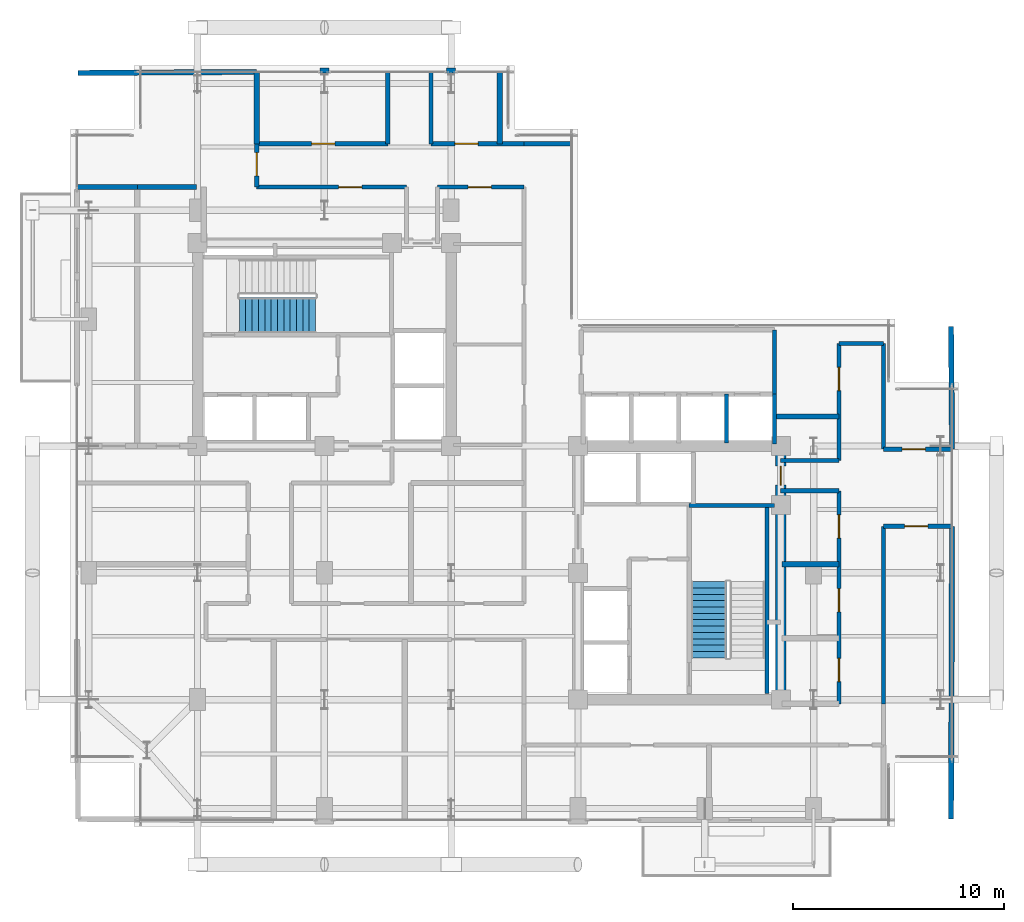
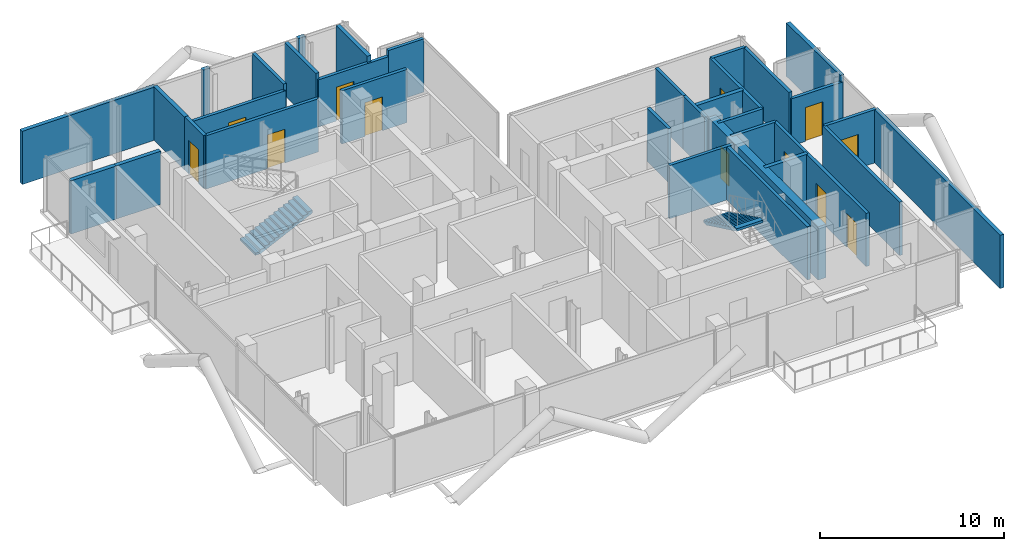
# One storey, part 22 of 26: 34 walls, 12 doors, 2 stair flights, 12 openings, 2 elements without a shape of their own.
"""IFC4 building model written with IfcOpenShell, lengths in metres."""

import ifcopenshell
import ifcopenshell.guid

model = None  # the IFC model being written
_history = None  # IfcOwnerHistory: only IFC2X3 demands one
_inside = {}  # id of a spatial element -> (the spatial element, [elements in it])
_under = {}  # id of a project, library or spatial element -> (it, [spatial elements below it])
_declared = {}  # id of a project -> (the project, [libraries it declares])
_typed = {}  # id of a type object -> (the type object, [elements of that type])
_made_of = {}  # id of a material, layer set ... -> (it, [elements and type objects made of it])


def new_model(schema):
    """Start an empty IFC model of exactly this schema.

    Asked for "IFC4X3", IfcOpenShell would pick the latest addendum, in which some entities
    have other attributes; the version numbers below select the first issue.
    IFC2X3 requires an IfcOwnerHistory on every rooted entity: one is made here for all.
    """
    global model, _history
    if schema == "IFC4X3":
        model = ifcopenshell.file(schema_version=(4, 3, 0, 0))
    else:
        model = ifcopenshell.file(schema=schema)
    _inside.clear()
    _under.clear()
    _declared.clear()
    _typed.clear()
    _made_of.clear()
    _history = None
    if model.schema == "IFC2X3":
        org = make("IfcOrganization", Name="unknown")
        user = make(
            "IfcPersonAndOrganization",
            ThePerson=make("IfcPerson", FamilyName="unknown"),
            TheOrganization=org,
        )
        app = make(
            "IfcApplication",
            ApplicationDeveloper=org,
            Version="unknown",
            ApplicationFullName="unknown",
            ApplicationIdentifier="unknown",
        )
        _history = make(
            "IfcOwnerHistory",
            OwningUser=user,
            OwningApplication=app,
            ChangeAction="ADDED",
            CreationDate=0,
        )
    return model


def make(cls, **values):
    """One entity of the class cls with the attributes given. An attribute that is None is left unset."""
    return model.create_entity(
        cls, **{name: value for name, value in values.items() if value is not None}
    )


def rooted(cls, **values):
    """An entity with a GlobalId (a new one), such as an element, a storey or a relation."""
    return make(cls, GlobalId=ifcopenshell.guid.new(), OwnerHistory=_history, **values)


def si_unit(unit_type, name, prefix=None):
    """IfcSIUnit, for example si_unit("LENGTHUNIT", "METRE", prefix="MILLI")."""
    return make("IfcSIUnit", UnitType=unit_type, Prefix=prefix, Name=name)


def assignment(units):
    """IfcUnitAssignment: the units of a project."""
    return None if units is None else make("IfcUnitAssignment", Units=units)


def point(xyz):
    """IfcCartesianPoint."""
    return None if xyz is None else make("IfcCartesianPoint", Coordinates=xyz)


def direction(xyz):
    """IfcDirection."""
    return None if xyz is None else make("IfcDirection", DirectionRatios=xyz)


def frame(location, z_axis=None, x_axis=None):
    """IfcAxis2Placement3D, a coordinate frame: its origin and axes. An axis left out is left unset."""
    return make(
        "IfcAxis2Placement3D",
        Location=point(location),
        Axis=direction(z_axis),
        RefDirection=direction(x_axis),
    )


def frame_2d(location, x_axis=None):
    """IfcAxis2Placement2D, a coordinate frame in the plane: its origin and x axis."""
    return make(
        "IfcAxis2Placement2D", Location=point(location), RefDirection=direction(x_axis)
    )


def origin():
    """The frame at (0, 0, 0) with its axes left unset."""
    return frame((0.0, 0.0, 0.0))


def place(relative_to, where):
    """IfcLocalPlacement: puts the frame where relative to a parent placement (None: the world)."""
    return make(
        "IfcLocalPlacement", PlacementRelTo=relative_to, RelativePlacement=where
    )


def context(
    kind, dimensions, precision=None, world=None, true_north=None, identifier=None
):
    """IfcGeometricRepresentationContext, for example the 3D "Model" context."""
    return make(
        "IfcGeometricRepresentationContext",
        ContextIdentifier=identifier,
        ContextType=kind,
        CoordinateSpaceDimension=dimensions,
        Precision=precision,
        WorldCoordinateSystem=world,
        TrueNorth=true_north,
    )


def subcontext(parent, identifier, kind, view, scale=None):
    """IfcGeometricRepresentationSubContext, for example "Body" below "Model"."""
    return make(
        "IfcGeometricRepresentationSubContext",
        ContextIdentifier=identifier,
        ContextType=kind,
        ParentContext=parent,
        TargetScale=scale,
        TargetView=view,
    )


def project(units=None, contexts=None):
    """IfcProject with its units and contexts."""
    return rooted(
        "IfcProject",
        Name="project",
        RepresentationContexts=contexts,
        UnitsInContext=assignment(units),
    )


def spatial(cls, under=None, at=None, **own):
    """A site, building, storey or space (cls), placed at a placement, below another one or the project."""
    s = rooted(cls, ObjectPlacement=at, **own)
    if under is not None:
        _under.setdefault(under.id(), (under, []))[1].append(s)
    return s


def polyline(points):
    """IfcPolyline through the points."""
    return make("IfcPolyline", Points=[point(p) for p in points])


def profile(cls, at=None, kind="AREA", **sizes):
    """A parametric profile (cls). Its sizes go by their IFC names, for example OverallWidth=200.0."""
    return make(cls, ProfileType=kind, Position=at, **sizes)


def rectangle(**sizes):
    """IfcRectangleProfileDef."""
    return profile("IfcRectangleProfileDef", **sizes)


def outline(outer, holes=None, kind="AREA"):
    """IfcArbitraryClosedProfileDef: a profile drawn as a closed curve; with holes, ...WithVoids."""
    if holes is None:
        return make("IfcArbitraryClosedProfileDef", ProfileType=kind, OuterCurve=outer)
    return make(
        "IfcArbitraryProfileDefWithVoids",
        ProfileType=kind,
        OuterCurve=outer,
        InnerCurves=holes,
    )


def extrude(swept, where, along, depth):
    """IfcExtrudedAreaSolid: the profile swept, set in the frame where, extruded along a direction by depth."""
    return make(
        "IfcExtrudedAreaSolid",
        SweptArea=swept,
        Position=where,
        ExtrudedDirection=direction(along),
        Depth=depth,
    )


def shape(context_of_items, identifier, shape_type, items):
    """IfcShapeRepresentation: the items that make up one representation, for example the "Body"."""
    return make(
        "IfcShapeRepresentation",
        ContextOfItems=context_of_items,
        RepresentationIdentifier=identifier,
        RepresentationType=shape_type,
        Items=items,
    )


def material(Name=None, Category=None):
    """IfcMaterial."""
    return make("IfcMaterial", Name=Name, Category=Category)


def layer(
    of_material, thickness, ventilated=None, Name=None, Category=None, Priority=None
):
    """IfcMaterialLayer: one layer of a wall or slab, of a material (None: an air gap)."""
    return make(
        "IfcMaterialLayer",
        Material=of_material,
        LayerThickness=thickness,
        IsVentilated=ventilated,
        Name=Name,
        Category=Category,
        Priority=Priority,
    )


def layer_set(layers, Name=None):
    """IfcMaterialLayerSet."""
    return make("IfcMaterialLayerSet", MaterialLayers=layers, LayerSetName=Name)


def made_of(thing, what):
    """Note that an element or type object is made of a material, layer set ...; save() writes the relation."""
    if what is not None:
        _made_of.setdefault(what.id(), (what, []))[1].append(thing)
    return thing


def type_object(cls, material=None, **own):
    """A type object (cls), such as IfcWallType, which elements share."""
    return made_of(rooted(cls, **own), material)


def element(
    cls,
    number,
    at=None,
    inside=None,
    cuts=None,
    type_object=None,
    material=None,
    context=None,
    identifier="Body",
    shape_type=None,
    held_by="IfcProductDefinitionShape",
    body=None,
    shapes=None,
    **own,
):
    """One element of the class cls, such as IfcWall. Its Tag is "e" and its number.

    at: its placement. inside: the storey or other place that contains it. cuts: it is an
    opening in that element (IfcRelVoidsElement). A single representation is given by context,
    identifier, shape_type and body (its items); several are given by shapes. held_by: the class
    of the entity that holds the representations. save() writes the other relations.
    """
    e = rooted(cls, Tag="e%d" % number, ObjectPlacement=at, **own)
    if body is not None:
        shapes = [shape(context, identifier, shape_type, body)]
    if shapes is not None:
        e.Representation = make(held_by, Representations=shapes)
    if inside is not None:
        _inside.setdefault(inside.id(), (inside, []))[1].append(e)
    if cuts is not None:
        rooted(
            "IfcRelVoidsElement", RelatingBuildingElement=cuts, RelatedOpeningElement=e
        )
    if type_object is not None:
        _typed.setdefault(type_object.id(), (type_object, []))[1].append(e)
    return made_of(e, material)


def fill(opening, filler):
    """IfcRelFillsElement: the door or window that sits in an opening."""
    return rooted(
        "IfcRelFillsElement",
        RelatingOpeningElement=opening,
        RelatedBuildingElement=filler,
    )


def aggregate(whole, parts):
    """IfcRelAggregates: a whole, such as a stair, and the parts it consists of."""
    return rooted("IfcRelAggregates", RelatingObject=whole, RelatedObjects=parts)


def save(model, path):
    """Write the relations noted so far, then the file.

    IfcRelAggregates (storeys below a building ...), IfcRelContainedInSpatialStructure (elements
    in a storey), IfcRelDefinesByType, IfcRelAssociatesMaterial and IfcRelDeclares: one each for
    every whole, place, type object, material and project.
    """
    for whole, parts in _under.values():
        aggregate(whole, parts)
    for where, things in _inside.values():
        rooted(
            "IfcRelContainedInSpatialStructure",
            RelatedElements=things,
            RelatingStructure=where,
        )
    for kind, things in _typed.values():
        rooted("IfcRelDefinesByType", RelatedObjects=things, RelatingType=kind)
    for what, things in _made_of.values():
        rooted("IfcRelAssociatesMaterial", RelatedObjects=things, RelatingMaterial=what)
    for by, libraries in _declared.values():
        rooted("IfcRelDeclares", RelatingContext=by, RelatedDefinitions=libraries)
    model.write(path)


model = new_model("IFC4")

# Units and contexts
model_context = context("Model", 3, precision=1e-05, world=origin(), true_north=direction((0.0, 1.0)))
body_context = subcontext(model_context, "Body", "Model", "MODEL_VIEW")
ifc_project = project(units=[si_unit("LENGTHUNIT", "METRE"), si_unit("AREAUNIT", "SQUARE_METRE"), si_unit("VOLUMEUNIT", "CUBIC_METRE"), si_unit("PLANEANGLEUNIT", "RADIAN"), si_unit("MASSUNIT", "GRAM", prefix="KILO"), si_unit("THERMODYNAMICTEMPERATUREUNIT", "KELVIN"), si_unit("POWERUNIT", "WATT")], contexts=[model_context])

# Site, building, storey
site_placement = place(None, origin())
site = spatial("IfcSite", under=ifc_project, at=site_placement, CompositionType="ELEMENT")
building_placement = place(site_placement, origin())
building = spatial("IfcBuilding", under=site, at=building_placement, Name="Svarakhadi Broadcast Tower", CompositionType="ELEMENT")
storey_placement = place(building_placement, frame((0.0, 0.0, 180.449951171875)))
storey = spatial("IfcBuildingStorey", under=building, at=storey_placement, Name="L44", CompositionType="ELEMENT", Elevation=180.449951171875)

# Walls
ifc_material_1 = material(Name="Double-Stud Acoustic Studio Partition STC-62", Category="gypsum")
ifc_layer_1 = layer(ifc_material_1, 0.25)
ifc_layer_set_1 = layer_set([ifc_layer_1], Name="Double-Stud Acoustic Studio Partition STC-62")
wall_type_1 = type_object("IfcWallType", Name="Wall_Acoust_250", PredefinedType="PARTITIONING", material=ifc_layer_set_1)
wall_1_placement = place(storey_placement, frame((0.300048828125, 30.25, 0.0), z_axis=(0.0, 0.0, 1.0), x_axis=(1.0, 0.0, 0.0)))
element("IfcWall", 1, at=wall_1_placement, inside=storey, type_object=wall_type_1, Name="L44 Diplomatic Sunset Lounge Wall", PredefinedType="PARTITIONING", context=body_context, shape_type="SweptSolid", body=[
    extrude(rectangle(XDim=2.849853515625, YDim=0.25, at=frame_2d((1.4248046875, 0.0))), origin(), (0.0, 0.0, 1.0), 3.5400390625),
])
wall_2_placement = place(storey_placement, frame((3.14990234375, 30.25, 0.0), z_axis=(0.0, 0.0, 1.0), x_axis=(1.0, 0.0, 0.0)))
element("IfcWall", 2, at=wall_2_placement, inside=storey, type_object=wall_type_1, Name="L44 Ambassador Protocol Study Wall", PredefinedType="PARTITIONING", context=body_context, shape_type="SweptSolid", body=[
    extrude(rectangle(XDim=2.800048828125, YDim=0.25, at=frame_2d((1.39990234375, 0.0))), origin(), (0.0, 0.0, 1.0), 3.5400390625),
])
wall_3_placement = place(storey_placement, frame((33.64990234375, 12.39990234375, 0.0), z_axis=(0.0, 0.0, 1.0), x_axis=(1.0, 0.0, 0.0)))
element("IfcWall", 3, at=wall_3_placement, inside=storey, type_object=wall_type_1, Name="L44 VIP Cigar Lounge Wall", PredefinedType="PARTITIONING", context=body_context, shape_type="SweptSolid", body=[
    extrude(rectangle(XDim=2.7001953125, YDim=0.25, at=frame_2d((1.35009765625, 0.0))), origin(), (0.0, 0.0, 1.0), 3.5400390625),
])
wall_4_placement = place(storey_placement, frame((41.699951171875, 17.85009765625, 0.0), z_axis=(0.0, 0.0, 1.0), x_axis=(-0.008629077606, 0.999962768817, 0.0)))
element("IfcWall", 4, at=wall_4_placement, inside=storey, type_object=wall_type_1, Name="L44 Hotel Harbour Panorama Suite Wall", PredefinedType="PARTITIONING", context=body_context, shape_type="SweptSolid", body=[
    extrude(rectangle(XDim=5.800048828125, YDim=0.25, at=frame_2d((2.89990234375, 0.0))), origin(), (0.0, 0.0, 1.0), 3.5400390625),
])
wall_5_placement = place(storey_placement, frame((33.35009765625, 19.39990234375, 0.0), z_axis=(0.0, 0.0, 1.0), x_axis=(1.0, 0.0, 0.0)))
element("IfcWall", 5, at=wall_5_placement, inside=storey, type_object=wall_type_1, Name="L44 Harbour Sunset Reading Lounge Wall", PredefinedType="PARTITIONING", context=body_context, shape_type="SweptSolid", body=[
    extrude(rectangle(XDim=3.0, YDim=0.25, at=frame_2d((1.5, 0.0))), origin(), (0.0, 0.0, 1.0), 3.5400390625),
])
wall_6_placement = place(storey_placement, frame((41.64990234375, 0.35009765625, 0.0), z_axis=(0.0, 0.0, 1.0), x_axis=(0.003613648425, 0.999993470751, 0.0)))
element("IfcWall", 6, at=wall_6_placement, inside=storey, type_object=wall_type_1, Name="L44 East Harbour Press Salon Wall", PredefinedType="PARTITIONING", context=body_context, shape_type="SweptSolid", body=[
    extrude(rectangle(XDim=13.849853515625, YDim=0.25, at=frame_2d((6.9248046875, 0.0))), origin(), (0.0, 0.0, 1.0), 3.5400390625),
])
wall_7_placement = place(storey_placement, frame((0.35009765625, 35.64990234375, 0.0), z_axis=(0.0, 0.0, 1.0), x_axis=(0.99998245966, 0.005922868574, 0.0)))
element("IfcWall", 7, at=wall_7_placement, inside=storey, type_object=wall_type_1, Name="L44 Hospitality Seminar Salon Wall", PredefinedType="PARTITIONING", context=body_context, shape_type="SweptSolid", body=[
    extrude(rectangle(XDim=8.4501953125, YDim=0.25, at=frame_2d((4.22509765625, 0.0))), origin(), (0.0, 0.0, 1.0), 3.5400390625),
])
for number, where, z_axis, x_axis, name in (
    (8, (8.800048828125, 32.300048828125, 0.0), (0.0, 0.0, 1.0), (0.0, 1.0, 0.0), "L44 Event Concierge Office Wall"),
    (9, (20.300048828125, 32.300048828125, 0.0), (0.0, 0.0, 1.0), (0.0, 1.0, 0.0), "L44 VIP Tea Ceremony Salon Wall"),
):
    element("IfcWall", number, at=place(storey_placement, frame(where, z_axis=z_axis, x_axis=x_axis)), inside=storey, type_object=wall_type_1, Name=name, PredefinedType="PARTITIONING", context=body_context, shape_type="SweptSolid", body=[
        extrude(rectangle(XDim=3.39990234375, YDim=0.25, at=frame_2d((1.699951171875, 0.0))), origin(), (0.0, 0.0, 1.0), 3.5400390625),
    ])
ifc_material_2 = material(Name="Concrete C40/50 (IS 456 M50)", Category="concrete")
ifc_layer_2 = layer(ifc_material_2, 0.239990234375)
ifc_layer_set_2 = layer_set([ifc_layer_2], Name="Concrete C40/50 (IS 456 M50)")
wall_type_2 = type_object("IfcWallType", Name="Wall_Ext_240", PredefinedType="SOLIDWALL", material=ifc_layer_set_2)
for number, where, z_axis, x_axis, name in (
    (10, (11.784912109375, 35.760009765625, 0.0), (0.0, 0.0, 1.0), (1.0, 0.0, 0.0), "L44 Perimeter Bronze Spandrel Closure Wall 01"),
    (11, (17.784912109375, 35.760009765625, 0.0), (0.0, 0.0, 1.0), (1.0, 0.0, 0.0), "L44 Perimeter Bronze Spandrel Closure Wall 02"),
):
    element("IfcWall", number, at=place(storey_placement, frame(where, z_axis=z_axis, x_axis=x_axis)), inside=storey, type_object=wall_type_2, Name=name, PredefinedType="SOLIDWALL", context=body_context, shape_type="SweptSolid", body=[
        extrude(rectangle(XDim=0.43017578125, YDim=0.239990234375, at=frame_2d((0.215087890625, 0.0))), origin(), (0.0, 0.0, 1.0), 3.5400390625),
    ])

# Wall, openings, doors
ifc_layer_3 = layer(ifc_material_2, 0.199951171875)
ifc_layer_set_3 = layer_set([ifc_layer_3], Name="Concrete C40/50 (IS 456 M50)")
wall_type_3 = type_object("IfcWallType", Name="Wall_Fire_200", PredefinedType="SOLIDWALL", material=ifc_layer_set_3)
wall_8_placement = place(storey_placement, frame((36.35009765625, 5.800048828125, 0.0), z_axis=(0.0, 0.0, 1.0), x_axis=(0.0, 1.0, 0.0)))
wall_8 = element("IfcWall", 12, at=wall_8_placement, inside=storey, type_object=wall_type_3, Name="L44 Zone 2/3 Corridor Wall", PredefinedType="SOLIDWALL", context=body_context, shape_type="SweptSolid", body=[
    extrude(rectangle(XDim=10.079833984375, YDim=0.199951171875, at=frame_2d((5.0400390625, 0.0))), origin(), (0.0, 0.0, 1.0), 3.5400390625),
])
opening_1_placement = place(wall_8_placement, frame((1.050048828125, 0.0, 0.0)))
opening_1 = element("IfcOpeningElement", 13, at=opening_1_placement, cuts=wall_8, Name="Opening D-11", PredefinedType="OPENING", context=body_context, shape_type="SweptSolid", body=[
    extrude(rectangle(XDim=1.10009765625, YDim=2.25, at=frame_2d((0.550048828125, 1.125))), frame((0.0, 0.10986328125, 0.0), z_axis=(0.0, -1.0, 0.0), x_axis=(1.0, 0.0, 0.0)), (0.0, 0.0, 1.0), 0.219970703125),
])
opening_2_placement = place(wall_8_placement, frame((4.35009765625, 0.0, 0.0)))
opening_2 = element("IfcOpeningElement", 14, at=opening_2_placement, cuts=wall_8, Name="Opening D-10", PredefinedType="OPENING", context=body_context, shape_type="SweptSolid", body=[
    extrude(rectangle(XDim=1.10009765625, YDim=2.25, at=frame_2d((0.550048828125, 1.125))), frame((0.0, 0.10986328125, 0.0), z_axis=(0.0, -1.0, 0.0), x_axis=(1.0, 0.0, 0.0)), (0.0, 0.0, 1.0), 0.219970703125),
])
opening_3_placement = place(wall_8_placement, frame((7.840087890625, 0.0, 0.0)))
opening_3 = element("IfcOpeningElement", 15, at=opening_3_placement, cuts=wall_8, Name="Opening D-10", PredefinedType="OPENING", context=body_context, shape_type="SweptSolid", body=[
    extrude(rectangle(XDim=1.10009765625, YDim=2.25, at=frame_2d((0.550048828125, 1.125))), frame((0.0, 0.10986328125, 0.0), z_axis=(0.0, -1.0, 0.0), x_axis=(1.0, 0.0, 0.0)), (0.0, 0.0, 1.0), 0.219970703125),
])
ifc_material_3 = material(Name="Solid-Core Teak Veneer Acoustic Timber Leaf", Category="wood")
door_type_1 = type_object("IfcDoorType", Name="Door_Acoust_D10", OperationType="SINGLE_SWING_LEFT", PredefinedType="DOOR", material=ifc_material_3)
door_1_placement = place(opening_2_placement, origin())
door_1 = element("IfcDoor", 16, at=door_1_placement, inside=storey, type_object=door_type_1, Name="L44 VIP Cigar Lounge Door", OperationType="SINGLE_SWING_LEFT", OverallHeight=2.25, OverallWidth=1.10009765625, PredefinedType="DOOR", context=body_context, shape_type="SweptSolid", body=[
    extrude(rectangle(XDim=1.10009765625, YDim=2.25, at=frame_2d((0.550048828125, 1.125))), frame((0.0, 0.02490234375, 0.0), z_axis=(0.0, -1.0, 0.0), x_axis=(1.0, 0.0, 0.0)), (0.0, 0.0, 1.0), 0.050048828125),
])
fill(opening_2, door_1)
door_2_placement = place(opening_3_placement, origin())
door_2 = element("IfcDoor", 17, at=door_2_placement, inside=storey, type_object=door_type_1, Name="L44 Sommelier Wine Tasting Room Door", OperationType="SINGLE_SWING_LEFT", OverallHeight=2.25, OverallWidth=1.10009765625, PredefinedType="DOOR", context=body_context, shape_type="SweptSolid", body=[
    extrude(rectangle(XDim=1.10009765625, YDim=2.25, at=frame_2d((0.550048828125, 1.125))), frame((0.0, 0.02490234375, 0.0), z_axis=(0.0, -1.0, 0.0), x_axis=(1.0, 0.0, 0.0)), (0.0, 0.0, 1.0), 0.050048828125),
])
fill(opening_3, door_2)
door_type_2 = type_object("IfcDoorType", Name="Door_Acoust_D11", OperationType="SINGLE_SWING_RIGHT", PredefinedType="DOOR", material=ifc_material_3)
door_3_placement = place(opening_1_placement, origin())
door_3 = element("IfcDoor", 18, at=door_3_placement, inside=storey, type_object=door_type_2, Name="L44 Sommelier Wine Tasting Room Door", OperationType="SINGLE_SWING_RIGHT", OverallHeight=2.25, OverallWidth=1.10009765625, PredefinedType="DOOR", context=body_context, shape_type="SweptSolid", body=[
    extrude(rectangle(XDim=1.10009765625, YDim=2.25, at=frame_2d((0.550048828125, 1.125))), frame((0.0, 0.02490234375, 0.0), z_axis=(0.0, -1.0, 0.0), x_axis=(1.0, 0.0, 0.0)), (0.0, 0.0, 1.0), 0.050048828125),
])
fill(opening_1, door_3)

# Walls
for number, where, z_axis, x_axis, name in (
    (19, (36.35009765625, 15.8798828125, 0.0), (0.0, 0.0, 1.0), (-1.0, 0.0, 0.0), "L44 Zone 2/3 Corridor Wall"),
    (20, (33.580078125, 17.320068359375, 0.0), (0.0, 0.0, 1.0), (1.0, 0.0, 0.0), "L44 Zone 2/3 Corridor Wall"),
):
    element("IfcWall", number, at=place(storey_placement, frame(where, z_axis=z_axis, x_axis=x_axis)), inside=storey, type_object=wall_type_3, Name=name, PredefinedType="SOLIDWALL", context=body_context, shape_type="SweptSolid", body=[
        extrude(rectangle(XDim=2.77001953125, YDim=0.199951171875, at=frame_2d((1.385009765625, 0.0))), origin(), (0.0, 0.0, 1.0), 3.5400390625),
    ])

# Wall, opening, door
wall_9_placement = place(storey_placement, frame((36.35009765625, 17.320068359375, 0.0), z_axis=(0.0, 0.0, 1.0), x_axis=(0.0, 1.0, 0.0)))
wall_9 = element("IfcWall", 21, at=wall_9_placement, inside=storey, type_object=wall_type_3, Name="L44 Zone 2/3 Corridor Wall", PredefinedType="SOLIDWALL", context=body_context, shape_type="SweptSolid", body=[
    extrude(rectangle(XDim=5.530029296875, YDim=0.199951171875, at=frame_2d((2.76513671875, 0.0))), origin(), (0.0, 0.0, 1.0), 3.5400390625),
])
opening_4_placement = place(wall_9_placement, frame((3.304931640625, 0.0, 0.0)))
opening_4 = element("IfcOpeningElement", 22, at=opening_4_placement, cuts=wall_9, Name="Opening D-11", PredefinedType="OPENING", context=body_context, shape_type="SweptSolid", body=[
    extrude(rectangle(XDim=1.10009765625, YDim=2.25, at=frame_2d((0.550048828125, 1.125))), frame((0.0, 0.10986328125, 0.0), z_axis=(0.0, -1.0, 0.0), x_axis=(1.0, 0.0, 0.0)), (0.0, 0.0, 1.0), 0.219970703125),
])
door_4_placement = place(opening_4_placement, origin())
door_4 = element("IfcDoor", 23, at=door_4_placement, inside=storey, type_object=door_type_2, Name="L44 Harbour Sunset Reading Lounge Door", OperationType="SINGLE_SWING_RIGHT", OverallHeight=2.25, OverallWidth=1.10009765625, PredefinedType="DOOR", context=body_context, shape_type="SweptSolid", body=[
    extrude(rectangle(XDim=1.10009765625, YDim=2.25, at=frame_2d((0.550048828125, 1.125))), frame((0.0, 0.02490234375, 0.0), z_axis=(0.0, -1.0, 0.0), x_axis=(1.0, 0.0, 0.0)), (0.0, 0.0, 1.0), 0.050048828125),
])
fill(opening_4, door_4)

# Walls
wall_10_placement = place(storey_placement, frame((36.35009765625, 22.85009765625, 0.0), z_axis=(0.0, 0.0, 1.0), x_axis=(1.0, 0.0, 0.0)))
element("IfcWall", 24, at=wall_10_placement, inside=storey, type_object=wall_type_3, Name="L44 Zone 2/3 Corridor Wall", PredefinedType="SOLIDWALL", context=body_context, shape_type="SweptSolid", body=[
    extrude(rectangle(XDim=2.099853515625, YDim=0.199951171875, at=frame_2d((1.0498046875, 0.0))), origin(), (0.0, 0.0, 1.0), 3.5400390625),
])
wall_11_placement = place(storey_placement, frame((38.449951171875, 22.85009765625, 0.0), z_axis=(0.0, 0.0, 1.0), x_axis=(0.0, -1.0, 0.0)))
element("IfcWall", 25, at=wall_11_placement, inside=storey, type_object=wall_type_3, Name="L44 Zone 2/3 Corridor Wall", PredefinedType="SOLIDWALL", context=body_context, shape_type="SweptSolid", body=[
    extrude(rectangle(XDim=5.0, YDim=0.199951171875, at=frame_2d((2.5, 0.0))), origin(), (0.0, 0.0, 1.0), 3.5400390625),
])

# Wall, opening, door
wall_12_placement = place(storey_placement, frame((38.449951171875, 17.85009765625, 0.0), z_axis=(0.0, 0.0, 1.0), x_axis=(1.0, 0.0, 0.0)))
wall_12 = element("IfcWall", 26, at=wall_12_placement, inside=storey, type_object=wall_type_3, Name="L44 Zone 2/3 Corridor Wall", PredefinedType="SOLIDWALL", context=body_context, shape_type="SweptSolid", body=[
    extrude(rectangle(XDim=3.25, YDim=0.199951171875, at=frame_2d((1.625, 0.0))), origin(), (0.0, 0.0, 1.0), 3.132080078125),
])
opening_5_placement = place(wall_12_placement, frame((0.8798828125, 0.0, 0.0)))
opening_5 = element("IfcOpeningElement", 27, at=opening_5_placement, cuts=wall_12, Name="Opening D-10", PredefinedType="OPENING", context=body_context, shape_type="SweptSolid", body=[
    extrude(rectangle(XDim=1.10009765625, YDim=2.25, at=frame_2d((0.550048828125, 1.125))), frame((0.0, 0.10986328125, 0.0), z_axis=(0.0, -1.0, 0.0), x_axis=(1.0, 0.0, 0.0)), (0.0, 0.0, 1.0), 0.219970703125),
])
door_5_placement = place(opening_5_placement, origin())
door_5 = element("IfcDoor", 28, at=door_5_placement, inside=storey, type_object=door_type_1, Name="L44 Hotel Harbour Panorama Suite Door", OperationType="SINGLE_SWING_LEFT", OverallHeight=2.25, OverallWidth=1.10009765625, PredefinedType="DOOR", context=body_context, shape_type="SweptSolid", body=[
    extrude(rectangle(XDim=1.10009765625, YDim=2.25, at=frame_2d((0.550048828125, 1.125))), frame((0.0, 0.02490234375, 0.0), z_axis=(0.0, -1.0, 0.0), x_axis=(1.0, 0.0, 0.0)), (0.0, 0.0, 1.0), 0.050048828125),
])
fill(opening_5, door_5)

wall_13_placement = place(storey_placement, frame((41.699951171875, 14.199951171875, 0.0), z_axis=(0.0, 0.0, 1.0), x_axis=(-1.0, 0.0, 0.0)))
wall_13 = element("IfcWall", 29, at=wall_13_placement, inside=storey, type_object=wall_type_3, Name="L44 Zone 2/3 Corridor Wall", PredefinedType="SOLIDWALL", context=body_context, shape_type="SweptSolid", body=[
    extrude(rectangle(XDim=3.25, YDim=0.199951171875, at=frame_2d((1.625, 0.0))), origin(), (0.0, 0.0, 1.0), 3.5400390625),
])
opening_6_placement = place(wall_13_placement, frame((1.14990234375, 0.0, 0.0)))
opening_6 = element("IfcOpeningElement", 30, at=opening_6_placement, cuts=wall_13, Name="Opening D-11", PredefinedType="OPENING", context=body_context, shape_type="SweptSolid", body=[
    extrude(rectangle(XDim=1.10009765625, YDim=2.25, at=frame_2d((0.550048828125, 1.125))), frame((0.0, 0.10986328125, 0.0), z_axis=(0.0, -1.0, 0.0), x_axis=(1.0, 0.0, 0.0)), (0.0, 0.0, 1.0), 0.219970703125),
])
door_6_placement = place(opening_6_placement, origin())
door_6 = element("IfcDoor", 31, at=door_6_placement, inside=storey, type_object=door_type_2, Name="L44 East Harbour Press Salon Door", OperationType="SINGLE_SWING_RIGHT", OverallHeight=2.25, OverallWidth=1.10009765625, PredefinedType="DOOR", context=body_context, shape_type="SweptSolid", body=[
    extrude(rectangle(XDim=1.10009765625, YDim=2.25, at=frame_2d((0.550048828125, 1.125))), frame((0.0, 0.02490234375, 0.0), z_axis=(0.0, -1.0, 0.0), x_axis=(1.0, 0.0, 0.0)), (0.0, 0.0, 1.0), 0.050048828125),
])
fill(opening_6, door_6)

# Wall
wall_14_placement = place(storey_placement, frame((38.449951171875, 14.199951171875, 0.0), z_axis=(0.0, 0.0, 1.0), x_axis=(0.0, -1.0, 0.0)))
element("IfcWall", 32, at=wall_14_placement, inside=storey, type_object=wall_type_3, Name="L44 Zone 2/3 Corridor Wall", PredefinedType="SOLIDWALL", context=body_context, shape_type="SweptSolid", body=[
    extrude(rectangle(XDim=8.39990234375, YDim=0.199951171875, at=frame_2d((4.199951171875, 0.0))), origin(), (0.0, 0.0, 1.0), 3.5400390625),
])

# Wall, opening, door
wall_15_placement = place(storey_placement, frame((21.449951171875, 30.25, 0.0), z_axis=(0.0, 0.0, 1.0), x_axis=(-1.0, 0.0, 0.0)))
wall_15 = element("IfcWall", 33, at=wall_15_placement, inside=storey, type_object=wall_type_3, Name="L44 Zone 2/3 Corridor Wall", PredefinedType="SOLIDWALL", context=body_context, shape_type="SweptSolid", body=[
    extrude(rectangle(XDim=4.099853515625, YDim=0.199951171875, at=frame_2d((2.0498046875, 0.0))), origin(), (0.0, 0.0, 1.0), 3.5400390625),
])
opening_7_placement = place(wall_15_placement, frame((1.550048828125, 0.0, 0.0)))
opening_7 = element("IfcOpeningElement", 34, at=opening_7_placement, cuts=wall_15, Name="Opening D-10", PredefinedType="OPENING", context=body_context, shape_type="SweptSolid", body=[
    extrude(rectangle(XDim=1.10009765625, YDim=2.25, at=frame_2d((0.550048828125, 1.125))), frame((0.0, 0.10986328125, 0.0), z_axis=(0.0, -1.0, 0.0), x_axis=(1.0, 0.0, 0.0)), (0.0, 0.0, 1.0), 0.219970703125),
])
door_7_placement = place(opening_7_placement, origin())
door_7 = element("IfcDoor", 35, at=door_7_placement, inside=storey, type_object=door_type_1, Name="L44 Guest Quiet Study Door", OperationType="SINGLE_SWING_LEFT", OverallHeight=2.25, OverallWidth=1.10009765625, PredefinedType="DOOR", context=body_context, shape_type="SweptSolid", body=[
    extrude(rectangle(XDim=1.10009765625, YDim=2.25, at=frame_2d((0.550048828125, 1.125))), frame((0.0, 0.02490234375, 0.0), z_axis=(0.0, -1.0, 0.0), x_axis=(1.0, 0.0, 0.0)), (0.0, 0.0, 1.0), 0.050048828125),
])
fill(opening_7, door_7)

wall_16_placement = place(storey_placement, frame((15.8798828125, 30.25, 0.0), z_axis=(0.0, 0.0, 1.0), x_axis=(-1.0, 0.0, 0.0)))
wall_16 = element("IfcWall", 36, at=wall_16_placement, inside=storey, type_object=wall_type_3, Name="L44 Zone 2/3 Corridor Wall", PredefinedType="SOLIDWALL", context=body_context, shape_type="SweptSolid", body=[
    extrude(rectangle(XDim=7.079833984375, YDim=0.199951171875, at=frame_2d((3.5400390625, 0.0))), origin(), (0.0, 0.0, 1.0), 3.5400390625),
])
opening_8_placement = place(wall_16_placement, frame((2.110107421875, 0.0, 0.0)))
opening_8 = element("IfcOpeningElement", 37, at=opening_8_placement, cuts=wall_16, Name="Opening D-10", PredefinedType="OPENING", context=body_context, shape_type="SweptSolid", body=[
    extrude(rectangle(XDim=1.10009765625, YDim=2.25, at=frame_2d((0.550048828125, 1.125))), frame((0.0, 0.10986328125, 0.0), z_axis=(0.0, -1.0, 0.0), x_axis=(1.0, 0.0, 0.0)), (0.0, 0.0, 1.0), 0.219970703125),
])
door_8_placement = place(opening_8_placement, origin())
door_8 = element("IfcDoor", 38, at=door_8_placement, inside=storey, type_object=door_type_1, Name="L44 Guest Library Study Door", OperationType="SINGLE_SWING_LEFT", OverallHeight=2.25, OverallWidth=1.10009765625, PredefinedType="DOOR", context=body_context, shape_type="SweptSolid", body=[
    extrude(rectangle(XDim=1.10009765625, YDim=2.25, at=frame_2d((0.550048828125, 1.125))), frame((0.0, 0.02490234375, 0.0), z_axis=(0.0, -1.0, 0.0), x_axis=(1.0, 0.0, 0.0)), (0.0, 0.0, 1.0), 0.050048828125),
])
fill(opening_8, door_8)

wall_17_placement = place(storey_placement, frame((8.800048828125, 30.25, 0.0), z_axis=(0.0, 0.0, 1.0), x_axis=(0.0, 1.0, 0.0)))
wall_17 = element("IfcWall", 39, at=wall_17_placement, inside=storey, type_object=wall_type_3, Name="L44 Zone 2/3 Corridor Wall", PredefinedType="SOLIDWALL", context=body_context, shape_type="SweptSolid", body=[
    extrude(rectangle(XDim=2.050048828125, YDim=0.199951171875, at=frame_2d((1.02490234375, 0.0))), origin(), (0.0, 0.0, 1.0), 3.5400390625),
])
opening_9_placement = place(wall_17_placement, frame((0.52490234375, 0.0, 0.0)))
opening_9 = element("IfcOpeningElement", 40, at=opening_9_placement, cuts=wall_17, Name="Opening D-11", PredefinedType="OPENING", context=body_context, shape_type="SweptSolid", body=[
    extrude(rectangle(XDim=1.10009765625, YDim=2.25, at=frame_2d((0.550048828125, 1.125))), frame((0.0, 0.10986328125, 0.0), z_axis=(0.0, -1.0, 0.0), x_axis=(1.0, 0.0, 0.0)), (0.0, 0.0, 1.0), 0.219970703125),
])
door_9_placement = place(opening_9_placement, origin())
door_9 = element("IfcDoor", 41, at=door_9_placement, inside=storey, type_object=door_type_2, Name="L44 Hospitality Seminar Salon Door", OperationType="SINGLE_SWING_RIGHT", OverallHeight=2.25, OverallWidth=1.10009765625, PredefinedType="DOOR", context=body_context, shape_type="SweptSolid", body=[
    extrude(rectangle(XDim=1.10009765625, YDim=2.25, at=frame_2d((0.550048828125, 1.125))), frame((0.0, 0.02490234375, 0.0), z_axis=(0.0, -1.0, 0.0), x_axis=(1.0, 0.0, 0.0)), (0.0, 0.0, 1.0), 0.050048828125),
])
fill(opening_9, door_9)

wall_18_placement = place(storey_placement, frame((8.800048828125, 32.300048828125, 0.0), z_axis=(0.0, 0.0, 1.0), x_axis=(1.0, 0.0, 0.0)))
wall_18 = element("IfcWall", 42, at=wall_18_placement, inside=storey, type_object=wall_type_3, Name="L44 Zone 2/3 Corridor Wall", PredefinedType="SOLIDWALL", context=body_context, shape_type="SweptSolid", body=[
    extrude(rectangle(XDim=6.199951171875, YDim=0.199951171875, at=frame_2d((3.10009765625, 0.0))), origin(), (0.0, 0.0, 1.0), 3.132080078125),
])
opening_10_placement = place(wall_18_placement, frame((2.60009765625, 0.0, 0.0)))
opening_10 = element("IfcOpeningElement", 43, at=opening_10_placement, cuts=wall_18, Name="Opening D-10", PredefinedType="OPENING", context=body_context, shape_type="SweptSolid", body=[
    extrude(rectangle(XDim=1.10009765625, YDim=2.25, at=frame_2d((0.550048828125, 1.125))), frame((0.0, 0.10986328125, 0.0), z_axis=(0.0, -1.0, 0.0), x_axis=(1.0, 0.0, 0.0)), (0.0, 0.0, 1.0), 0.219970703125),
])
door_10_placement = place(opening_10_placement, origin())
door_10 = element("IfcDoor", 44, at=door_10_placement, inside=storey, type_object=door_type_1, Name="L44 Event Concierge Office Door", OperationType="SINGLE_SWING_LEFT", OverallHeight=2.25, OverallWidth=1.10009765625, PredefinedType="DOOR", context=body_context, shape_type="SweptSolid", body=[
    extrude(rectangle(XDim=1.10009765625, YDim=2.25, at=frame_2d((0.550048828125, 1.125))), frame((0.0, 0.02490234375, 0.0), z_axis=(0.0, -1.0, 0.0), x_axis=(1.0, 0.0, 0.0)), (0.0, 0.0, 1.0), 0.050048828125),
])
fill(opening_10, door_10)

# Walls
for number, where, z_axis, x_axis, name in (
    (45, (15.0, 32.300048828125, 0.0), (0.0, 0.0, 1.0), (0.0, 1.0, 0.0), "L44 Zone 2/3 Corridor Wall"),
    (46, (17.050048828125, 35.699951171875, 0.0), (0.0, 0.0, 1.0), (0.0, -1.0, 0.0), "L44 Zone 2/3 Corridor Wall"),
):
    element("IfcWall", number, at=place(storey_placement, frame(where, z_axis=z_axis, x_axis=x_axis)), inside=storey, type_object=wall_type_3, Name=name, PredefinedType="SOLIDWALL", context=body_context, shape_type="SweptSolid", body=[
        extrude(rectangle(XDim=3.39990234375, YDim=0.199951171875, at=frame_2d((1.699951171875, 0.0))), origin(), (0.0, 0.0, 1.0), 3.5400390625),
    ])

# Wall, opening, door
wall_19_placement = place(storey_placement, frame((17.050048828125, 32.300048828125, 0.0), z_axis=(0.0, 0.0, 1.0), x_axis=(1.0, 0.0, 0.0)))
wall_19 = element("IfcWall", 47, at=wall_19_placement, inside=storey, type_object=wall_type_3, Name="L44 Zone 2/3 Corridor Wall", PredefinedType="SOLIDWALL", context=body_context, shape_type="SweptSolid", body=[
    extrude(rectangle(XDim=4.39990234375, YDim=0.199951171875, at=frame_2d((2.199951171875, 0.0))), origin(), (0.0, 0.0, 1.0), 3.132080078125),
])
opening_11_placement = place(wall_19_placement, frame((1.125, 0.0, 0.0)))
opening_11 = element("IfcOpeningElement", 48, at=opening_11_placement, cuts=wall_19, Name="Opening D-11", PredefinedType="OPENING", context=body_context, shape_type="SweptSolid", body=[
    extrude(rectangle(XDim=1.10009765625, YDim=2.25, at=frame_2d((0.550048828125, 1.125))), frame((0.0, 0.10986328125, 0.0), z_axis=(0.0, -1.0, 0.0), x_axis=(1.0, 0.0, 0.0)), (0.0, 0.0, 1.0), 0.219970703125),
])
door_11_placement = place(opening_11_placement, origin())
door_11 = element("IfcDoor", 49, at=door_11_placement, inside=storey, type_object=door_type_2, Name="L44 VIP Tea Ceremony Salon Door", OperationType="SINGLE_SWING_RIGHT", OverallHeight=2.25, OverallWidth=1.10009765625, PredefinedType="DOOR", context=body_context, shape_type="SweptSolid", body=[
    extrude(rectangle(XDim=1.10009765625, YDim=2.25, at=frame_2d((0.550048828125, 1.125))), frame((0.0, 0.02490234375, 0.0), z_axis=(0.0, -1.0, 0.0), x_axis=(1.0, 0.0, 0.0)), (0.0, 0.0, 1.0), 0.050048828125),
])
fill(opening_11, door_11)

# Walls
wall_20_placement = place(storey_placement, frame((21.449951171875, 32.300048828125, 0.0), z_axis=(0.0, 0.0, 1.0), x_axis=(1.0, 0.0, 0.0)))
element("IfcWall", 50, at=wall_20_placement, inside=storey, type_object=wall_type_3, Name="L44 Zone 2/3 Corridor Wall", PredefinedType="SOLIDWALL", context=body_context, shape_type="SweptSolid", body=[
    extrude(rectangle(XDim=2.25, YDim=0.199951171875, at=frame_2d((1.125, 0.0))), origin(), (0.0, 0.0, 1.0), 3.5400390625),
])
ifc_material_4 = material(Name="Concrete C50/60 (IS 456 M60)", Category="concrete")
ifc_layer_4 = layer(ifc_material_4, 0.199951171875)
ifc_layer_set_4 = layer_set([ifc_layer_4], Name="Concrete C50/60 (IS 456 M60)")
wall_type_4 = type_object("IfcWallType", Name="Wall_Shear_200", PredefinedType="SHEAR", material=ifc_layer_set_4)
wall_21_placement = place(storey_placement, frame((32.93994140625, 6.300048828125, 0.0), z_axis=(0.0, 0.0, 1.0), x_axis=(0.0, 1.0, 0.0)))
element("IfcWall", 51, at=wall_21_placement, inside=storey, type_object=wall_type_4, Name="L44 Stair ST-02 East RC Shaft Wall", PredefinedType="SHEAR", context=body_context, shape_type="SweptSolid", body=[
    extrude(rectangle(XDim=8.8798828125, YDim=0.199951171875, at=frame_2d((4.43994140625, 0.0))), origin(), (0.0, 0.0, 1.0), 3.5400390625),
])
wall_22_placement = place(storey_placement, frame((29.260009765625, 15.179931640625, 0.0), z_axis=(0.0, 0.0, 1.0), x_axis=(1.0, 0.0, 0.0)))
element("IfcWall", 52, at=wall_22_placement, inside=storey, type_object=wall_type_4, Name="L44 Stair ST-02 North RC Shaft Wall", PredefinedType="SHEAR", context=body_context, shape_type="SweptSolid", body=[
    extrude(rectangle(XDim=4.0400390625, YDim=0.199951171875, at=frame_2d((2.02001953125, 0.0))), origin(), (0.0, 0.0, 1.0), 3.5400390625),
])
wall_23_placement = place(storey_placement, frame((33.300048828125, 18.10009765625, 0.0), z_axis=(0.0, 0.0, 1.0), x_axis=(0.0, 1.0, 0.0)))
element("IfcWall", 53, at=wall_23_placement, inside=storey, type_object=wall_type_4, Name="L44 Bank B East Shaft Wall", PredefinedType="SHEAR", context=body_context, shape_type="SweptSolid", body=[
    extrude(rectangle(XDim=2.349853515625, YDim=0.199951171875, at=frame_2d((1.1748046875, 0.0))), origin(), (0.0, 0.0, 1.0), 3.5400390625),
])
wall_24_placement = place(storey_placement, frame((31.02001953125, 18.14990234375, 0.0), z_axis=(0.0, 0.0, 1.0), x_axis=(0.0, 1.0, 0.0)))
element("IfcWall", 54, at=wall_24_placement, inside=storey, type_object=wall_type_4, Name="L44 Bank B Divider", PredefinedType="SHEAR", context=body_context, shape_type="SweptSolid", body=[
    extrude(rectangle(XDim=2.300048828125, YDim=0.199951171875, at=frame_2d((1.14990234375, 0.0))), origin(), (0.0, 0.0, 1.0), 3.5400390625),
])
wall_25_placement = place(storey_placement, frame((33.300048828125, 20.449951171875, 0.0), z_axis=(0.0, 0.0, 1.0), x_axis=(0.0, 1.0, 0.0)))
element("IfcWall", 55, at=wall_25_placement, inside=storey, type_object=wall_type_4, Name="L44 Bank B Lift Hall East Wall", PredefinedType="SHEAR", context=body_context, shape_type="SweptSolid", body=[
    extrude(rectangle(XDim=3.050048828125, YDim=0.199951171875, at=frame_2d((1.52490234375, 0.0))), origin(), (0.0, 0.0, 1.0), 3.5400390625),
])

# Wall, opening, door
ifc_layer_5 = layer(ifc_material_4, 0.5)
ifc_layer_set_5 = layer_set([ifc_layer_5], Name="Concrete C50/60 (IS 456 M60)")
wall_type_5 = type_object("IfcWallType", Name="Wall_Shear_500", PredefinedType="SHEAR", material=ifc_layer_set_5)
wall_26_placement = place(storey_placement, frame((33.60009765625, 6.0, 0.0), z_axis=(0.0, 0.0, 1.0), x_axis=(0.0, 1.0, 0.0)))
wall_26 = element("IfcWall", 56, at=wall_26_placement, inside=storey, type_object=wall_type_5, Name="L44 East Core East Shear Wall", PredefinedType="SHEAR", context=body_context, shape_type="SweptSolid", body=[
    extrude(rectangle(XDim=12.0, YDim=0.5, at=frame_2d((6.0, 0.0))), origin(), (0.0, 0.0, 1.0), 3.5400390625),
])
opening_12_placement = place(wall_26_placement, frame((10.14990234375, 0.0, 0.0)))
opening_12 = element("IfcOpeningElement", 57, at=opening_12_placement, cuts=wall_26, Name="Opening D-03", PredefinedType="OPENING", context=body_context, shape_type="SweptSolid", body=[
    extrude(rectangle(XDim=0.89990234375, YDim=2.14990234375, at=frame_2d((0.449951171875, 1.074951171875))), frame((0.0, 0.260009765625, 0.0), z_axis=(0.0, -1.0, 0.0), x_axis=(1.0, 0.0, 0.0)), (0.0, 0.0, 1.0), 0.52001953125),
])
ifc_material_5 = material(Name="Galvanised Powder-Coated Fire-Rated Steel Leaf", Category="steel")
door_type_3 = type_object("IfcDoorType", Name="Door_Fire_D03", OperationType="SINGLE_SWING_LEFT", PredefinedType="DOOR", material=ifc_material_5)
door_12_placement = place(opening_12_placement, origin())
door_12 = element("IfcDoor", 58, at=door_12_placement, inside=storey, type_object=door_type_3, Name="L44 Core Service Room East Door", OperationType="SINGLE_SWING_LEFT", OverallHeight=2.14990234375, OverallWidth=0.89990234375, PredefinedType="DOOR", context=body_context, shape_type="SweptSolid", body=[
    extrude(rectangle(XDim=0.89990234375, YDim=2.14990234375, at=frame_2d((0.449951171875, 1.074951171875))), frame((0.0, 0.02490234375, 0.0), z_axis=(0.0, -1.0, 0.0), x_axis=(1.0, 0.0, 0.0)), (0.0, 0.0, 1.0), 0.050048828125),
])
fill(opening_12, door_12)

# Stair, stair flight
stair_type = type_object("IfcStairType", Name="Stair_Exit_Core", PredefinedType="HALF_TURN_STAIR", material=ifc_material_2)
stair_1_placement = place(storey_placement, origin())
stair_1 = element("IfcStair", 59, at=stair_1_placement, inside=storey, type_object=stair_type, Name="L44 West Core Protected Exit Stair ST-01", PredefinedType="HALF_TURN_STAIR")
stair_flight_type = type_object("IfcStairFlightType", Name="Flight_RC_1680", PredefinedType="STRAIGHT", material=ifc_material_2)
stair_flight_1_placement = place(storey_placement, frame((7.97998046875, 24.18994140625, 0.0), z_axis=(0.0, 0.0, 1.0), x_axis=(1.0, 0.0, 0.0)))
stair_flight_1 = element("IfcStairFlight", 60, at=stair_flight_1_placement, type_object=stair_flight_type, Name="ST-01 flight 1", NumberOfRisers=13, NumberOfTreads=12, PredefinedType="STRAIGHT", RiserHeight=0.144230769, TreadLength=0.3, context=body_context, shape_type="SweptSolid", body=[
    extrude(outline(polyline([(0.0, 0.0), (0.0, 0.144287109375), (0.300048828125, 0.144287109375), (0.300048828125, 0.28857421875), (0.60009765625, 0.28857421875), (0.60009765625, 0.4326171875), (0.89990234375, 0.4326171875), (0.89990234375, 0.576904296875), (1.199951171875, 0.576904296875), (1.199951171875, 0.72119140625), (1.5, 0.72119140625), (1.5, 0.865478515625), (1.800048828125, 0.865478515625), (1.800048828125, 1.009521484375), (2.10009765625, 1.009521484375), (2.10009765625, 1.15380859375), (2.39990234375, 1.15380859375), (2.39990234375, 1.298095703125), (2.699951171875, 1.298095703125), (2.699951171875, 1.4423828125), (3.0, 1.4423828125), (3.0, 1.58642578125), (3.300048828125, 1.58642578125), (3.300048828125, 1.730712890625), (3.60009765625, 1.730712890625), (3.60009765625, 1.875), (3.60009765625, 1.564453125), (0.345947265625, 0.0), (0.0, 0.0)])), frame((0.0, 0.830078125, 0.0), z_axis=(0.0, -1.0, 0.0), x_axis=(1.0, 0.0, 0.0)), (0.0, 0.0, 1.0), 1.659912109375),
])
aggregate(stair_1, [stair_flight_1])

stair_2_placement = place(storey_placement, origin())
stair_2 = element("IfcStair", 61, at=stair_2_placement, inside=storey, type_object=stair_type, Name="L44 East Core Protected Exit Stair ST-02", PredefinedType="HALF_TURN_STAIR")
stair_flight_2_placement = place(storey_placement, frame((30.18994140625, 11.580078125, 1.875), z_axis=(0.0, 0.0, 1.0), x_axis=(0.0, -1.0, 0.0)))
stair_flight_2 = element("IfcStairFlight", 62, at=stair_flight_2_placement, type_object=stair_flight_type, Name="ST-02 flight 2", NumberOfRisers=13, NumberOfTreads=12, PredefinedType="STRAIGHT", RiserHeight=0.144230769, TreadLength=0.3, context=body_context, shape_type="SweptSolid", body=[
    extrude(outline(polyline([(0.0, 0.0), (0.0, 0.144287109375), (0.300048828125, 0.144287109375), (0.300048828125, 0.28857421875), (0.60009765625, 0.28857421875), (0.60009765625, 0.4326171875), (0.89990234375, 0.4326171875), (0.89990234375, 0.576904296875), (1.199951171875, 0.576904296875), (1.199951171875, 0.72119140625), (1.5, 0.72119140625), (1.5, 0.865478515625), (1.800048828125, 0.865478515625), (1.800048828125, 1.009521484375), (2.10009765625, 1.009521484375), (2.10009765625, 1.15380859375), (2.39990234375, 1.15380859375), (2.39990234375, 1.298095703125), (2.699951171875, 1.298095703125), (2.699951171875, 1.4423828125), (3.0, 1.4423828125), (3.0, 1.58642578125), (3.300048828125, 1.58642578125), (3.300048828125, 1.730712890625), (3.60009765625, 1.730712890625), (3.60009765625, 1.875), (3.60009765625, 1.564453125), (0.345947265625, 0.0), (0.0, 0.0)])), frame((0.0, 0.830078125, 0.0), z_axis=(0.0, -1.0, 0.0), x_axis=(1.0, 0.0, 0.0)), (0.0, 0.0, 1.0), 1.659912109375),
])
aggregate(stair_2, [stair_flight_2])

save(model, "model.ifc")
